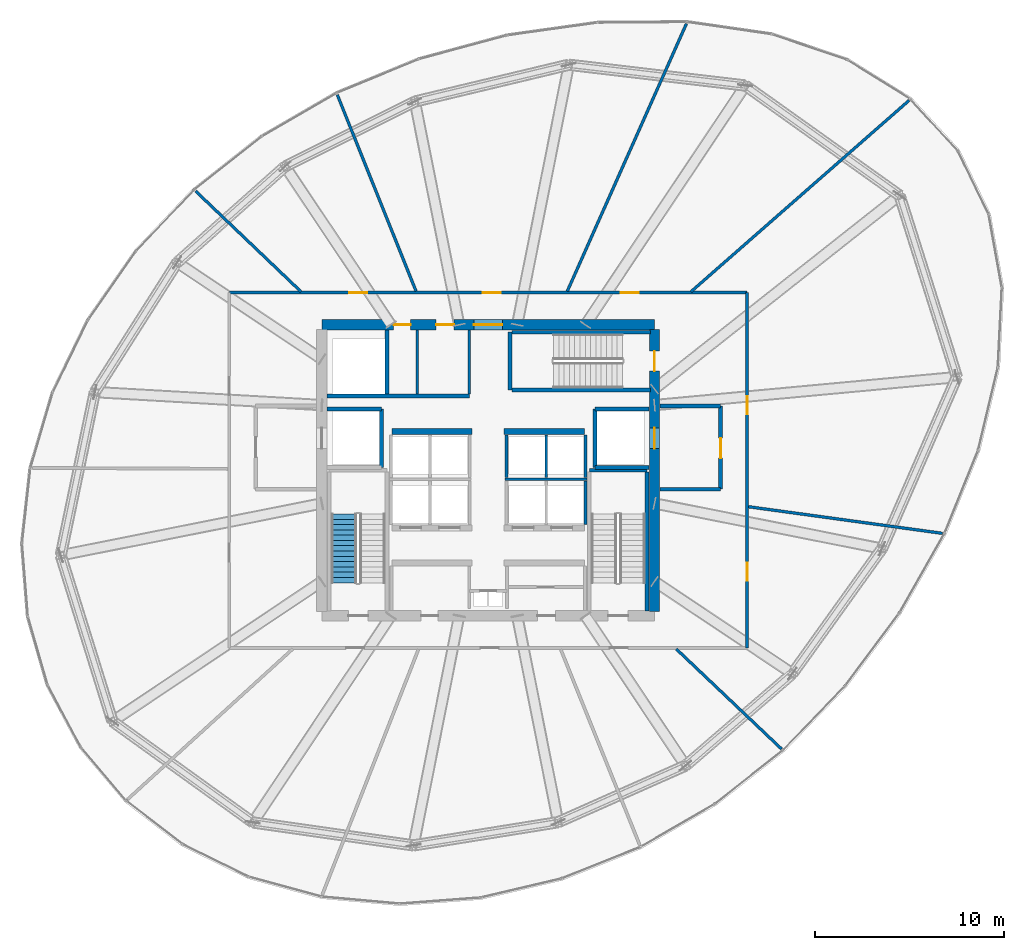
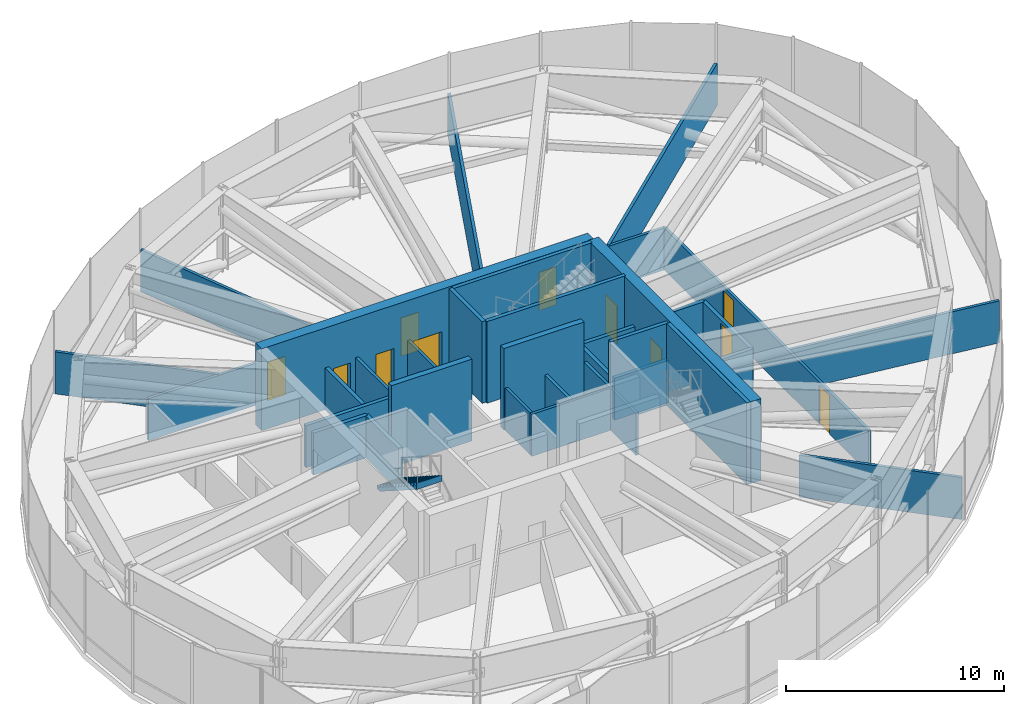
# One storey, part 28 of 30: 34 walls, 11 doors, 1 stair flight, 11 openings, 1 element without a shape of its own.
"""IFC4 building model written with IfcOpenShell, lengths in metres."""

from ifc_helpers import new_model, si_unit, direction, frame, frame_2d, origin, place, context, subcontext, project, spatial, polyline, rectangle, outline, extrude, source, transform, mapped, material, layer, layer_set, type_object, element, fill, aggregate, save


model = new_model("IFC4")

# Units and contexts
model_context = context("Model", 3, precision=1e-05, world=origin(), true_north=direction((0.0, 1.0)))
body_context = subcontext(model_context, "Body", "Model", "MODEL_VIEW")
ifc_project = project(units=[si_unit("LENGTHUNIT", "METRE"), si_unit("AREAUNIT", "SQUARE_METRE"), si_unit("VOLUMEUNIT", "CUBIC_METRE"), si_unit("PLANEANGLEUNIT", "RADIAN"), si_unit("MASSUNIT", "GRAM", prefix="KILO"), si_unit("THERMODYNAMICTEMPERATUREUNIT", "KELVIN")], contexts=[model_context])

# Site, building, storey
site_placement = place(None, origin())
site = spatial("IfcSite", under=ifc_project, at=site_placement, CompositionType="ELEMENT")
building_placement = place(site_placement, origin())
building = spatial("IfcBuilding", under=site, at=building_placement, Name="Kethvar Cultural Tower", CompositionType="ELEMENT")
storey_placement = place(building_placement, frame((0.0, 0.0, 171.39990234375)))
storey = spatial("IfcBuildingStorey", under=building, at=storey_placement, Name="L44", CompositionType="ELEMENT", Elevation=171.39990234375)

# Wall, openings, doors
ifc_material_1 = material(Name="Concrete C60/75", Category="concrete")
ifc_layer_1 = layer(ifc_material_1, 0.550048828125, Name="Concrete C60/75", Category="concrete")
ifc_layer_set_1 = layer_set([ifc_layer_1], Name="Concrete C60/75 (550 mm)")
wall_type_1 = type_object("IfcWallType", Name="WL-CORE-550", PredefinedType="SHEAR", material=ifc_layer_set_1)
wall_1_placement = place(storey_placement, frame((55.60009765625, 35.5, 0.0), z_axis=(0.0, 0.0, 1.0), x_axis=(-1.0, 0.0, 0.0)))
wall_1 = element("IfcWall", 1, at=wall_1_placement, inside=storey, type_object=wall_type_1, Name="L44 Core Shear Wall N", PredefinedType="SHEAR", context=body_context, shape_type="SweptSolid", body=[
    extrude(rectangle(XDim=17.60009765625, YDim=0.550048828125, at=frame_2d((8.800048828125, 0.0))), origin(), (0.0, 0.0, 1.0), 4.580078125),
])
opening_1_placement = place(wall_1_placement, frame((8.050048828125, 0.0, 0.0)))
opening_1 = element("IfcOpeningElement", 2, at=opening_1_placement, cuts=wall_1, Name="Opening D-L44-LN", PredefinedType="OPENING", context=body_context, shape_type="SweptSolid", body=[
    extrude(rectangle(XDim=1.5, YDim=2.199951171875, at=frame_2d((0.75, 1.10009765625))), frame((0.0, 0.284912109375, 0.0), z_axis=(0.0, -1.0, 0.0), x_axis=(1.0, 0.0, 0.0)), (0.0, 0.0, 1.0), 0.570068359375),
])
opening_2_placement = place(wall_1_placement, frame((12.89990234375, 0.0, 0.0)))
opening_2 = element("IfcOpeningElement", 3, at=opening_2_placement, cuts=wall_1, Name="Opening D-L44-W1", PredefinedType="OPENING", context=body_context, shape_type="SweptSolid", body=[
    extrude(rectangle(XDim=0.89990234375, YDim=2.14990234375, at=frame_2d((0.449951171875, 1.074951171875))), frame((0.0, 0.284912109375, 0.0), z_axis=(0.0, -1.0, 0.0), x_axis=(1.0, 0.0, 0.0)), (0.0, 0.0, 1.0), 0.570068359375),
])
opening_3_placement = place(wall_1_placement, frame((10.60009765625, 0.0, 0.0)))
opening_3 = element("IfcOpeningElement", 4, at=opening_3_placement, cuts=wall_1, Name="Opening D-L44-W2", PredefinedType="OPENING", context=body_context, shape_type="SweptSolid", body=[
    extrude(rectangle(XDim=0.949951171875, YDim=2.14990234375, at=frame_2d((0.47509765625, 1.074951171875))), frame((0.0, 0.284912109375, 0.0), z_axis=(0.0, -1.0, 0.0), x_axis=(1.0, 0.0, 0.0)), (0.0, 0.0, 1.0), 0.570068359375),
])
ifc_material_2 = material(Name="Architectural Oak Timber", Category="wood")
door_type_1 = type_object("IfcDoorType", Name="DR-DBL-FD60-1500", OperationType="DOUBLE_DOOR_SINGLE_SWING", PredefinedType="DOOR", material=ifc_material_2)
shared_shape_1 = source(origin(), body_context, "Body", "SweptSolid", [
    extrude(rectangle(XDim=1.5, YDim=2.199951171875, at=frame_2d((0.75, 1.10009765625))), frame((0.0, 0.02490234375, 0.0), z_axis=(0.0, -1.0, 0.0), x_axis=(1.0, 0.0, 0.0)), (0.0, 0.0, 1.0), 0.050048828125),
])
door_1_placement = place(opening_1_placement, origin())
door_1 = element("IfcDoor", 5, at=door_1_placement, inside=storey, type_object=door_type_1, Name="L44 Lift Lobby Concourse Door", OperationType="DOUBLE_DOOR_SINGLE_SWING", OverallHeight=2.199951171875, OverallWidth=1.5, PredefinedType="DOOR", context=body_context, shape_type="MappedRepresentation", body=[
    mapped(shared_shape_1, transform((0.0, 0.0, 0.0), scale=1.0)),
])
fill(opening_1, door_1)
door_type_2 = type_object("IfcDoorType", Name="DR-FD30-950", OperationType="NOTDEFINED", PredefinedType="DOOR", material=ifc_material_2)
shared_shape_2 = source(origin(), body_context, "Body", "SweptSolid", [
    extrude(rectangle(XDim=0.949951171875, YDim=2.14990234375, at=frame_2d((0.47509765625, 1.074951171875))), frame((0.0, 0.02490234375, 0.0), z_axis=(0.0, -1.0, 0.0), x_axis=(1.0, 0.0, 0.0)), (0.0, 0.0, 1.0), 0.050048828125),
])
door_2_placement = place(opening_3_placement, origin())
door_2 = element("IfcDoor", 6, at=door_2_placement, inside=storey, type_object=door_type_2, Name="L44 Public Washroom Door", OperationType="SINGLE_SWING_RIGHT", OverallHeight=2.14990234375, OverallWidth=0.949951171875, PredefinedType="DOOR", context=body_context, shape_type="MappedRepresentation", body=[
    mapped(shared_shape_2, transform((0.0, 0.0, 0.0), scale=1.0)),
])
fill(opening_3, door_2)
door_type_3 = type_object("IfcDoorType", Name="DR-FD30-900", OperationType="NOTDEFINED", PredefinedType="DOOR", material=ifc_material_2)
shared_shape_3 = source(origin(), body_context, "Body", "SweptSolid", [
    extrude(rectangle(XDim=0.89990234375, YDim=2.14990234375, at=frame_2d((0.449951171875, 1.074951171875))), frame((0.0, 0.02490234375, 0.0), z_axis=(0.0, -1.0, 0.0), x_axis=(1.0, 0.0, 0.0)), (0.0, 0.0, 1.0), 0.050048828125),
])
door_3_placement = place(opening_2_placement, origin())
door_3 = element("IfcDoor", 7, at=door_3_placement, inside=storey, type_object=door_type_3, Name="L44 Accessible Washroom Door", OperationType="SINGLE_SWING_LEFT", OverallHeight=2.14990234375, OverallWidth=0.89990234375, PredefinedType="DOOR", context=body_context, shape_type="MappedRepresentation", body=[
    mapped(shared_shape_3, transform((0.0, 0.0, 0.0), scale=1.0)),
])
fill(opening_2, door_3)

wall_2_placement = place(storey_placement, frame((55.60009765625, 20.340087890625, 0.0), z_axis=(0.0, 0.0, 1.0), x_axis=(0.0, 1.0, 0.0)))
wall_2 = element("IfcWall", 8, at=wall_2_placement, inside=storey, type_object=wall_type_1, Name="L44 Core Shear Wall E", PredefinedType="SHEAR", context=body_context, shape_type="SweptSolid", body=[
    extrude(rectangle(XDim=14.919921875, YDim=0.550048828125, at=frame_2d((7.4599609375, 0.0))), origin(), (0.0, 0.0, 1.0), 4.580078125),
])
opening_4_placement = place(wall_2_placement, frame((12.7099609375, 0.0, 0.0)))
opening_4 = element("IfcOpeningElement", 9, at=opening_4_placement, cuts=wall_2, Name="Opening D-L44-S3", PredefinedType="OPENING", context=body_context, shape_type="SweptSolid", body=[
    extrude(rectangle(XDim=1.050048828125, YDim=2.14990234375, at=frame_2d((0.52490234375, 1.074951171875))), frame((0.0, 0.284912109375, 0.0), z_axis=(0.0, -1.0, 0.0), x_axis=(1.0, 0.0, 0.0)), (0.0, 0.0, 1.0), 0.570068359375),
])
opening_5_placement = place(wall_2_placement, frame((8.610107421875, 0.0, 0.0)))
opening_5 = element("IfcOpeningElement", 10, at=opening_5_placement, cuts=wall_2, Name="Opening LD-2", PredefinedType="OPENING", context=body_context, shape_type="SweptSolid", body=[
    extrude(rectangle(XDim=1.10009765625, YDim=2.199951171875, at=frame_2d((0.550048828125, 1.10009765625))), frame((0.0, 0.284912109375, 0.0), z_axis=(0.0, -1.0, 0.0), x_axis=(1.0, 0.0, 0.0)), (0.0, 0.0, 1.0), 0.570068359375),
])
ifc_material_3 = material(Name="Steel S355J2", Category="steel")
door_type_4 = type_object("IfcDoorType", Name="DR-FD60-1050", OperationType="NOTDEFINED", PredefinedType="DOOR", material=ifc_material_3)
shared_shape_4 = source(origin(), body_context, "Body", "SweptSolid", [
    extrude(rectangle(XDim=1.050048828125, YDim=2.14990234375, at=frame_2d((0.52490234375, 1.074951171875))), frame((0.0, 0.02490234375, 0.0), z_axis=(0.0, -1.0, 0.0), x_axis=(1.0, 0.0, 0.0)), (0.0, 0.0, 1.0), 0.050048828125),
])
door_4_placement = place(opening_4_placement, origin())
door_4 = element("IfcDoor", 11, at=door_4_placement, inside=storey, type_object=door_type_4, Name="L44 Exit Stair 3 Door", OperationType="SINGLE_SWING_LEFT", OverallHeight=2.14990234375, OverallWidth=1.050048828125, PredefinedType="DOOR", context=body_context, shape_type="MappedRepresentation", body=[
    mapped(shared_shape_4, transform((0.0, 0.0, 0.0), scale=1.0)),
])
fill(opening_4, door_4)
door_type_5 = type_object("IfcDoorType", Name="DR-LIFT-SLIDE-1100", OperationType="NOTDEFINED", PredefinedType="DOOR", material=ifc_material_3)
shared_shape_5 = source(origin(), body_context, "Body", "SweptSolid", [
    extrude(rectangle(XDim=1.10009765625, YDim=2.199951171875, at=frame_2d((0.550048828125, 1.10009765625))), frame((0.0, 0.02490234375, 0.0), z_axis=(0.0, -1.0, 0.0), x_axis=(1.0, 0.0, 0.0)), (0.0, 0.0, 1.0), 0.050048828125),
])
door_5_placement = place(opening_5_placement, origin())
door_5 = element("IfcDoor", 12, at=door_5_placement, inside=storey, type_object=door_type_5, Name="L44 Firefighting Lift Landing Door FFL-02", OperationType="SLIDING_TO_RIGHT", OverallHeight=2.199951171875, OverallWidth=1.10009765625, PredefinedType="DOOR", context=body_context, shape_type="MappedRepresentation", body=[
    mapped(shared_shape_5, transform((0.0, 0.0, 0.0), scale=1.0)),
])
fill(opening_5, door_5)

# Walls
ifc_material_4 = material(Name="Gypsum Fireboard Partition")
ifc_layer_2 = layer(ifc_material_4, 0.14990234375, Name="Gypsum Fireboard Partition")
ifc_layer_set_2 = layer_set([ifc_layer_2], Name="Gypsum Fireboard Partition (150 mm)")
wall_type_2 = type_object("IfcWallType", Name="WL-FIRE-150", PredefinedType="PARTITIONING", material=ifc_layer_set_2)
wall_3_placement = place(storey_placement, frame((47.699951171875, 27.324951171875, 0.0), z_axis=(0.0, 0.0, 1.0), x_axis=(1.0, 0.0, 0.0)))
element("IfcWall", 13, at=wall_3_placement, inside=storey, type_object=wall_type_2, Name="L44 Mid-High Lift Shaft Back Wall E", PredefinedType="PARTITIONING", context=body_context, shape_type="SweptSolid", body=[
    extrude(rectangle(XDim=4.320068359375, YDim=0.14990234375, at=frame_2d((2.16015625, 0.0))), origin(), (0.0, 0.0, 1.0), 2.35498046875),
])
wall_4_placement = place(storey_placement, frame((51.949951171875, 24.919921875, 0.0), z_axis=(0.0, 0.0, 1.0), x_axis=(0.0, 1.0, 0.0)))
element("IfcWall", 14, at=wall_4_placement, inside=storey, type_object=wall_type_2, Name="L44 Mid-Rise Lift Shaft Outer Wall E", PredefinedType="PARTITIONING", context=body_context, shape_type="SweptSolid", body=[
    extrude(rectangle(XDim=2.320068359375, YDim=0.14990234375, at=frame_2d((1.16015625, 0.0))), origin(), (0.0, 0.0, 1.0), 2.35498046875),
])
for number, where, z_axis, x_axis, name in (
    (15, (47.77490234375, 27.409912109375, 0.0), (0.0, 0.0, 1.0), (0.0, 1.0, 0.0), "L44 High-Rise Lift Shaft Concourse Wall E"),
    (16, (49.875, 27.409912109375, 0.0), (0.0, 0.0, 1.0), (0.0, 1.0, 0.0), "L44 High-Rise Lift Shaft Divider E"),
    (17, (51.949951171875, 27.409912109375, 0.0), (0.0, 0.0, 1.0), (0.0, 1.0, 0.0), "L44 High-Rise Lift Shaft Outer Wall E"),
):
    element("IfcWall", number, at=place(storey_placement, frame(where, z_axis=z_axis, x_axis=x_axis)), inside=storey, type_object=wall_type_2, Name=name, PredefinedType="PARTITIONING", context=body_context, shape_type="SweptSolid", body=[
        extrude(rectangle(XDim=2.27001953125, YDim=0.14990234375, at=frame_2d((1.135009765625, 0.0))), origin(), (0.0, 0.0, 1.0), 2.35498046875),
    ])
wall_5_placement = place(storey_placement, frame((45.800048828125, 31.85009765625, 0.0), z_axis=(0.0, 0.0, 1.0), x_axis=(0.0, 1.0, 0.0)))
element("IfcWall", 18, at=wall_5_placement, inside=storey, type_object=wall_type_2, Name="L44 Sanitary Spine Wall", PredefinedType="PARTITIONING", context=body_context, shape_type="SweptSolid", body=[
    extrude(rectangle(XDim=3.364990234375, YDim=0.14990234375, at=frame_2d((1.6826171875, 0.0))), origin(), (0.0, 0.0, 1.0), 2.35498046875),
])

# Wall, openings, doors
wall_6_placement = place(storey_placement, frame((60.5, 18.39990234375, 0.0), z_axis=(0.0, 0.0, 1.0), x_axis=(0.0, 1.0, 0.0)))
wall_6 = element("IfcWall", 19, at=wall_6_placement, inside=storey, type_object=wall_type_2, Name="L44 Corridor Rated Wall E", PredefinedType="PARTITIONING", context=body_context, shape_type="SweptSolid", body=[
    extrude(rectangle(XDim=18.800048828125, YDim=0.14990234375, at=frame_2d((9.39990234375, 0.0))), origin(), (0.0, 0.0, 1.0), 2.35498046875),
])
opening_6_placement = place(wall_6_placement, frame((3.556396484375, 0.0, 0.0)))
opening_6 = element("IfcOpeningElement", 20, at=opening_6_placement, cuts=wall_6, Name="Opening D-L44-04", PredefinedType="OPENING", context=body_context, shape_type="SweptSolid", body=[
    extrude(rectangle(XDim=0.949951171875, YDim=2.14990234375, at=frame_2d((0.47509765625, 1.074951171875))), frame((0.0, 0.0849609375, 0.0), z_axis=(0.0, -1.0, 0.0), x_axis=(1.0, 0.0, 0.0)), (0.0, 0.0, 1.0), 0.169921875),
])
opening_7_placement = place(wall_6_placement, frame((12.375244140625, 0.0, 0.0)))
opening_7 = element("IfcOpeningElement", 21, at=opening_7_placement, cuts=wall_6, Name="Opening D-L44-05", PredefinedType="OPENING", context=body_context, shape_type="SweptSolid", body=[
    extrude(rectangle(XDim=0.949951171875, YDim=2.14990234375, at=frame_2d((0.47509765625, 1.074951171875))), frame((0.0, 0.0849609375, 0.0), z_axis=(0.0, -1.0, 0.0), x_axis=(1.0, 0.0, 0.0)), (0.0, 0.0, 1.0), 0.169921875),
])
door_6_placement = place(opening_6_placement, origin())
door_6 = element("IfcDoor", 22, at=door_6_placement, inside=storey, type_object=door_type_2, Name="L44 Chilled Water Pump Plant Room 04 Door", OperationType="SINGLE_SWING_RIGHT", OverallHeight=2.14990234375, OverallWidth=0.949951171875, PredefinedType="DOOR", context=body_context, shape_type="MappedRepresentation", body=[
    mapped(shared_shape_2, transform((0.0, 0.0, 0.0), scale=1.0)),
])
fill(opening_6, door_6)
door_7_placement = place(opening_7_placement, origin())
door_7 = element("IfcDoor", 23, at=door_7_placement, inside=storey, type_object=door_type_2, Name="L44 Electrical Switchgear Plant Room 05 Door", OperationType="SINGLE_SWING_LEFT", OverallHeight=2.14990234375, OverallWidth=0.949951171875, PredefinedType="DOOR", context=body_context, shape_type="MappedRepresentation", body=[
    mapped(shared_shape_2, transform((0.0, 0.0, 0.0), scale=1.0)),
])
fill(opening_7, door_7)

wall_7_placement = place(storey_placement, frame((60.5, 37.199951171875, 0.0), z_axis=(0.0, 0.0, 1.0), x_axis=(-1.0, 0.0, 0.0)))
wall_7 = element("IfcWall", 24, at=wall_7_placement, inside=storey, type_object=wall_type_2, Name="L44 Corridor Rated Wall N", PredefinedType="PARTITIONING", context=body_context, shape_type="SweptSolid", body=[
    extrude(rectangle(XDim=27.39990234375, YDim=0.14990234375, at=frame_2d((13.699951171875, 0.0))), origin(), (0.0, 0.0, 1.0), 2.35498046875),
])
opening_8_placement = place(wall_7_placement, frame((5.7392578125, 0.0, 0.0)))
opening_8 = element("IfcOpeningElement", 25, at=opening_8_placement, cuts=wall_7, Name="Opening D-L44-06", PredefinedType="OPENING", context=body_context, shape_type="SweptSolid", body=[
    extrude(rectangle(XDim=0.949951171875, YDim=2.14990234375, at=frame_2d((0.47509765625, 1.074951171875))), frame((0.0, 0.0849609375, 0.0), z_axis=(0.0, -1.0, 0.0), x_axis=(1.0, 0.0, 0.0)), (0.0, 0.0, 1.0), 0.169921875),
])
opening_9_placement = place(wall_7_placement, frame((13.038330078125, 0.0, 0.0)))
opening_9 = element("IfcOpeningElement", 26, at=opening_9_placement, cuts=wall_7, Name="Opening D-L44-07", PredefinedType="OPENING", context=body_context, shape_type="SweptSolid", body=[
    extrude(rectangle(XDim=0.949951171875, YDim=2.14990234375, at=frame_2d((0.47509765625, 1.074951171875))), frame((0.0, 0.0849609375, 0.0), z_axis=(0.0, -1.0, 0.0), x_axis=(1.0, 0.0, 0.0)), (0.0, 0.0, 1.0), 0.169921875),
])
opening_10_placement = place(wall_7_placement, frame((20.10498046875, 0.0, 0.0)))
opening_10 = element("IfcOpeningElement", 27, at=opening_10_placement, cuts=wall_7, Name="Opening D-L44-08", PredefinedType="OPENING", context=body_context, shape_type="SweptSolid", body=[
    extrude(rectangle(XDim=0.949951171875, YDim=2.14990234375, at=frame_2d((0.47509765625, 1.074951171875))), frame((0.0, 0.0849609375, 0.0), z_axis=(0.0, -1.0, 0.0), x_axis=(1.0, 0.0, 0.0)), (0.0, 0.0, 1.0), 0.169921875),
])
door_8_placement = place(opening_8_placement, origin())
door_8 = element("IfcDoor", 28, at=door_8_placement, inside=storey, type_object=door_type_2, Name="L44 Smoke Extract Fan Plant Room 06 Door", OperationType="SINGLE_SWING_RIGHT", OverallHeight=2.14990234375, OverallWidth=0.949951171875, PredefinedType="DOOR", context=body_context, shape_type="MappedRepresentation", body=[
    mapped(shared_shape_2, transform((0.0, 0.0, 0.0), scale=1.0)),
])
fill(opening_8, door_8)
door_9_placement = place(opening_9_placement, origin())
door_9 = element("IfcDoor", 29, at=door_9_placement, inside=storey, type_object=door_type_2, Name="L44 Heat Recovery Mechanical Plant Room 07 Door", OperationType="SINGLE_SWING_LEFT", OverallHeight=2.14990234375, OverallWidth=0.949951171875, PredefinedType="DOOR", context=body_context, shape_type="MappedRepresentation", body=[
    mapped(shared_shape_2, transform((0.0, 0.0, 0.0), scale=1.0)),
])
fill(opening_9, door_9)
door_10_placement = place(opening_10_placement, origin())
door_10 = element("IfcDoor", 30, at=door_10_placement, inside=storey, type_object=door_type_2, Name="L44 Pressurisation Fan Plant Room 08 Door", OperationType="SINGLE_SWING_RIGHT", OverallHeight=2.14990234375, OverallWidth=0.949951171875, PredefinedType="DOOR", context=body_context, shape_type="MappedRepresentation", body=[
    mapped(shared_shape_2, transform((0.0, 0.0, 0.0), scale=1.0)),
])
fill(opening_10, door_10)

# Walls
wall_8_placement = place(storey_placement, frame((56.7529296875, 18.344970703125, 0.0), z_axis=(0.0, 0.0, 1.0), x_axis=(0.725084338086, -0.688660077732, 0.0)))
element("IfcWall", 31, at=wall_8_placement, inside=storey, type_object=wall_type_2, Name="L44 Radial Partition Wall 04", PredefinedType="PARTITIONING", context=body_context, shape_type="SweptSolid", body=[
    extrude(rectangle(XDim=7.681396484375, YDim=0.14990234375, at=frame_2d((3.8408203125, 0.0))), origin(), (0.0, 0.0, 1.0), 2.35498046875),
])
wall_9_placement = place(storey_placement, frame((60.579345703125, 25.872314453125, 0.0), z_axis=(0.0, 0.0, 1.0), x_axis=(0.990702675866, -0.136044875066, 0.0)))
element("IfcWall", 32, at=wall_9_placement, inside=storey, type_object=wall_type_2, Name="L44 Radial Partition Wall 05", PredefinedType="PARTITIONING", context=body_context, shape_type="SweptSolid", body=[
    extrude(rectangle(XDim=10.360107421875, YDim=0.14990234375, at=frame_2d((5.18017578125, 0.0))), origin(), (0.0, 0.0, 1.0), 2.35498046875),
])
wall_10_placement = place(storey_placement, frame((57.534423828125, 37.252685546875, 0.0), z_axis=(0.0, 0.0, 1.0), x_axis=(0.751830096588, 0.659356888085, 0.0)))
element("IfcWall", 33, at=wall_10_placement, inside=storey, type_object=wall_type_2, Name="L44 Radial Partition Wall 06", PredefinedType="PARTITIONING", context=body_context, shape_type="SweptSolid", body=[
    extrude(rectangle(XDim=15.344482421875, YDim=0.14990234375, at=frame_2d((7.67236328125, 0.0))), origin(), (0.0, 0.0, 1.0), 2.35498046875),
])
wall_11_placement = place(storey_placement, frame((50.986083984375, 37.273193359375, 0.0), z_axis=(0.0, 0.0, 1.0), x_axis=(0.406800747022, 0.913516914032, 0.0)))
element("IfcWall", 34, at=wall_11_placement, inside=storey, type_object=wall_type_2, Name="L44 Radial Partition Wall 07", PredefinedType="PARTITIONING", context=body_context, shape_type="SweptSolid", body=[
    extrude(rectangle(XDim=15.49169921875, YDim=0.14990234375, at=frame_2d((7.745849609375, 0.0))), origin(), (0.0, 0.0, 1.0), 2.35498046875),
])
wall_12_placement = place(storey_placement, frame((42.985595703125, 37.2744140625, 0.0), z_axis=(0.0, 0.0, 1.0), x_axis=(-0.372195030978, 0.928154544737, 0.0)))
element("IfcWall", 35, at=wall_12_placement, inside=storey, type_object=wall_type_2, Name="L44 Radial Partition Wall 08", PredefinedType="PARTITIONING", context=body_context, shape_type="SweptSolid", body=[
    extrude(rectangle(XDim=11.197021484375, YDim=0.14990234375, at=frame_2d((5.5986328125, 0.0))), origin(), (0.0, 0.0, 1.0), 2.35498046875),
])
wall_13_placement = place(storey_placement, frame((36.89208984375, 37.255126953125, 0.0), z_axis=(0.0, 0.0, 1.0), x_axis=(-0.723379287328, 0.690450872014, 0.0)))
element("IfcWall", 36, at=wall_13_placement, inside=storey, type_object=wall_type_2, Name="L44 Radial Partition Wall 09", PredefinedType="PARTITIONING", context=body_context, shape_type="SweptSolid", body=[
    extrude(rectangle(XDim=7.703369140625, YDim=0.14990234375, at=frame_2d((3.8515625, 0.0))), origin(), (0.0, 0.0, 1.0), 2.35498046875),
])
ifc_material_5 = material(Name="Concrete C40/50", Category="concrete")
ifc_layer_3 = layer(ifc_material_5, 0.199951171875, Name="Concrete C40/50", Category="concrete")
ifc_layer_set_3 = layer_set([ifc_layer_3], Name="Concrete C40/50 (200 mm)")
wall_type_3 = type_object("IfcWallType", Name="WL-FIRE-200", PredefinedType="PARTITIONING", material=ifc_layer_set_3)
wall_14_placement = place(storey_placement, frame((41.14990234375, 27.949951171875, 0.0), z_axis=(0.0, 0.0, 1.0), x_axis=(0.0, 1.0, 0.0)))
element("IfcWall", 37, at=wall_14_placement, inside=storey, type_object=wall_type_3, Name="L44 FFL-01 Shaft Inner Wall", PredefinedType="PARTITIONING", context=body_context, shape_type="SweptSolid", body=[
    extrude(rectangle(XDim=3.10009765625, YDim=0.199951171875, at=frame_2d((1.550048828125, 0.0))), origin(), (0.0, 0.0, 1.0), 2.35498046875),
])
wall_15_placement = place(storey_placement, frame((38.284912109375, 31.050048828125, 0.0), z_axis=(0.0, 0.0, 1.0), x_axis=(1.0, 0.0, 0.0)))
element("IfcWall", 38, at=wall_15_placement, inside=storey, type_object=wall_type_3, Name="L44 FFL-01 Shaft North Wall", PredefinedType="PARTITIONING", context=body_context, shape_type="SweptSolid", body=[
    extrude(rectangle(XDim=2.864990234375, YDim=0.199951171875, at=frame_2d((1.4326171875, 0.0))), origin(), (0.0, 0.0, 1.0), 2.35498046875),
])
wall_16_placement = place(storey_placement, frame((52.449951171875, 27.949951171875, 0.0), z_axis=(0.0, 0.0, 1.0), x_axis=(0.0, 1.0, 0.0)))
element("IfcWall", 39, at=wall_16_placement, inside=storey, type_object=wall_type_3, Name="L44 FFL-02 Shaft Inner Wall", PredefinedType="PARTITIONING", context=body_context, shape_type="SweptSolid", body=[
    extrude(rectangle(XDim=3.10009765625, YDim=0.199951171875, at=frame_2d((1.550048828125, 0.0))), origin(), (0.0, 0.0, 1.0), 2.35498046875),
])
for number, where, z_axis, x_axis, name in (
    (40, (52.449951171875, 27.949951171875, 0.0), (0.0, 0.0, 1.0), (1.0, 0.0, 0.0), "L44 FFL-02 Shaft South Wall"),
    (41, (52.449951171875, 31.050048828125, 0.0), (0.0, 0.0, 1.0), (1.0, 0.0, 0.0), "L44 FFL-02 Shaft North Wall"),
):
    element("IfcWall", number, at=place(storey_placement, frame(where, z_axis=z_axis, x_axis=x_axis)), inside=storey, type_object=wall_type_3, Name=name, PredefinedType="PARTITIONING", context=body_context, shape_type="SweptSolid", body=[
        extrude(rectangle(XDim=2.864990234375, YDim=0.199951171875, at=frame_2d((1.4326171875, 0.0))), origin(), (0.0, 0.0, 1.0), 2.35498046875),
    ])

# Wall, opening, door
wall_17_placement = place(storey_placement, frame((59.10009765625, 26.800048828125, 0.0), z_axis=(0.0, 0.0, 1.0), x_axis=(0.0, 1.0, 0.0)))
wall_17 = element("IfcWall", 42, at=wall_17_placement, inside=storey, type_object=wall_type_3, Name="L44 Firefighting Lobby 2 Wall", PredefinedType="PARTITIONING", context=body_context, shape_type="SweptSolid", body=[
    extrude(rectangle(XDim=4.39990234375, YDim=0.199951171875, at=frame_2d((2.199951171875, 0.0))), origin(), (0.0, 0.0, 1.0), 2.35498046875),
])
opening_11_placement = place(wall_17_placement, frame((1.64990234375, 0.0, 0.0)))
opening_11 = element("IfcOpeningElement", 43, at=opening_11_placement, cuts=wall_17, Name="Opening D-L44-F2", PredefinedType="OPENING", context=body_context, shape_type="SweptSolid", body=[
    extrude(rectangle(XDim=1.050048828125, YDim=2.14990234375, at=frame_2d((0.52490234375, 1.074951171875))), frame((0.0, 0.10986328125, 0.0), z_axis=(0.0, -1.0, 0.0), x_axis=(1.0, 0.0, 0.0)), (0.0, 0.0, 1.0), 0.219970703125),
])
door_11_placement = place(opening_11_placement, origin())
door_11 = element("IfcDoor", 44, at=door_11_placement, inside=storey, type_object=door_type_4, Name="L44 Firefighting Lobby 2 Fire Door", OperationType="SINGLE_SWING_LEFT", OverallHeight=2.14990234375, OverallWidth=1.050048828125, PredefinedType="DOOR", context=body_context, shape_type="MappedRepresentation", body=[
    mapped(shared_shape_4, transform((0.0, 0.0, 0.0), scale=1.0)),
])
fill(opening_11, door_11)

# Walls
for number, where, z_axis, x_axis, name in (
    (45, (55.885009765625, 26.800048828125, 0.0), (0.0, 0.0, 1.0), (1.0, 0.0, 0.0), "L44 FF Lobby 2 South Wall"),
    (46, (55.885009765625, 31.199951171875, 0.0), (0.0, 0.0, 1.0), (1.0, 0.0, 0.0), "L44 FF Lobby 2 North Wall"),
):
    element("IfcWall", number, at=place(storey_placement, frame(where, z_axis=z_axis, x_axis=x_axis)), inside=storey, type_object=wall_type_3, Name=name, PredefinedType="PARTITIONING", context=body_context, shape_type="SweptSolid", body=[
        extrude(rectangle(XDim=3.215087890625, YDim=0.199951171875, at=frame_2d((1.607421875, 0.0))), origin(), (0.0, 0.0, 1.0), 2.35498046875),
    ])
wall_18_placement = place(storey_placement, frame((41.449951171875, 31.85009765625, 0.0), z_axis=(0.0, 0.0, 1.0), x_axis=(0.0, 1.0, 0.0)))
element("IfcWall", 47, at=wall_18_placement, inside=storey, type_object=wall_type_3, Name="L44 NW Core Pocket Wall", PredefinedType="PARTITIONING", context=body_context, shape_type="SweptSolid", body=[
    extrude(rectangle(XDim=3.364990234375, YDim=0.199951171875, at=frame_2d((1.6826171875, 0.0))), origin(), (0.0, 0.0, 1.0), 2.35498046875),
])
wall_19_placement = place(storey_placement, frame((38.284912109375, 31.72998046875, 0.0), z_axis=(0.0, 0.0, 1.0), x_axis=(1.0, 0.0, 0.0)))
element("IfcWall", 48, at=wall_19_placement, inside=storey, type_object=wall_type_3, Name="L44 North Core Sanitary South Wall", PredefinedType="PARTITIONING", context=body_context, shape_type="SweptSolid", body=[
    extrude(rectangle(XDim=7.51513671875, YDim=0.199951171875, at=frame_2d((3.757568359375, 0.0))), origin(), (0.0, 0.0, 1.0), 2.35498046875),
])
ifc_material_6 = material(Name="Moisture-Resistant Sanitary Chase Wall")
ifc_layer_4 = layer(ifc_material_6, 0.14990234375, Name="Moisture-Resistant Sanitary Chase Wall")
ifc_layer_set_4 = layer_set([ifc_layer_4], Name="Moisture-Resistant Sanitary Chase Wall (150 mm)")
wall_type_4 = type_object("IfcWallType", Name="WL-PLUMB-150", PredefinedType="PLUMBINGWALL", material=ifc_layer_set_4)
wall_20_placement = place(storey_placement, frame((43.050048828125, 31.85009765625, 0.0), z_axis=(0.0, 0.0, 1.0), x_axis=(0.0, 1.0, 0.0)))
element("IfcWall", 49, at=wall_20_placement, inside=storey, type_object=wall_type_4, Name="L44 Sanitary Plumbing Wall", PredefinedType="PLUMBINGWALL", context=body_context, shape_type="SweptSolid", body=[
    extrude(rectangle(XDim=3.364990234375, YDim=0.14990234375, at=frame_2d((1.6826171875, 0.0))), origin(), (0.0, 0.0, 1.0), 2.35498046875),
])
ifc_material_7 = material(Name="Concrete C50/60", Category="concrete")
ifc_layer_5 = layer(ifc_material_7, 0.300048828125, Name="Concrete C50/60", Category="concrete")
ifc_layer_set_5 = layer_set([ifc_layer_5], Name="Concrete C50/60 (300 mm)")
wall_type_5 = type_object("IfcWallType", Name="WL-SHAFT-300", PredefinedType="SHEAR", material=ifc_layer_set_5)
for number, where, z_axis, x_axis, name in (
    (50, (41.699951171875, 29.85009765625, 0.0), (0.0, 0.0, 1.0), (1.0, 0.0, 0.0), "L44 Core Lift Spine Wall MID3W"),
    (51, (47.64990234375, 29.85009765625, 0.0), (0.0, 0.0, 1.0), (1.0, 0.0, 0.0), "L44 Core Lift Spine Wall MID3E"),
):
    element("IfcWall", number, at=place(storey_placement, frame(where, z_axis=z_axis, x_axis=x_axis)), inside=storey, type_object=wall_type_5, Name=name, PredefinedType="SHEAR", context=body_context, shape_type="SweptSolid", body=[
        extrude(rectangle(XDim=4.25, YDim=0.300048828125, at=frame_2d((2.125, 0.0))), origin(), (0.0, 0.0, 1.0), 4.580078125),
    ])
ifc_layer_6 = layer(ifc_material_7, 0.199951171875, Name="Concrete C50/60", Category="concrete")
ifc_layer_set_6 = layer_set([ifc_layer_6], Name="Concrete C50/60 (200 mm)")
wall_type_6 = type_object("IfcWallType", Name="WL-STSHAFT-200", PredefinedType="SHEAR", material=ifc_layer_set_6)
wall_21_placement = place(storey_placement, frame((52.14990234375, 27.800048828125, 0.0), z_axis=(0.0, 0.0, 1.0), x_axis=(1.0, 0.0, 0.0)))
element("IfcWall", 52, at=wall_21_placement, inside=storey, type_object=wall_type_6, Name="L44 ST-02 Stair Shaft Wall FAR", PredefinedType="SHEAR", context=body_context, shape_type="SweptSolid", body=[
    extrude(rectangle(XDim=3.06005859375, YDim=0.199951171875, at=frame_2d((1.530029296875, 0.0))), origin(), (0.0, 0.0, 1.0), 4.580078125),
])
wall_22_placement = place(storey_placement, frame((55.2099609375, 27.699951171875, 0.0), z_axis=(0.0, 0.0, 1.0), x_axis=(0.0, -1.0, 0.0)))
element("IfcWall", 53, at=wall_22_placement, inside=storey, type_object=wall_type_6, Name="L44 ST-02 Stair Shaft Wall LEFT", PredefinedType="SHEAR", context=body_context, shape_type="SweptSolid", body=[
    extrude(rectangle(XDim=7.349853515625, YDim=0.199951171875, at=frame_2d((3.6748046875, 0.0))), origin(), (0.0, 0.0, 1.0), 4.580078125),
])
wall_23_placement = place(storey_placement, frame((47.949951171875, 32.050048828125, 0.0), z_axis=(0.0, 0.0, 1.0), x_axis=(0.0, 1.0, 0.0)))
element("IfcWall", 54, at=wall_23_placement, inside=storey, type_object=wall_type_6, Name="L44 ST-03 Stair Shaft Wall FAR", PredefinedType="SHEAR", context=body_context, shape_type="SweptSolid", body=[
    extrude(rectangle(XDim=3.06005859375, YDim=0.199951171875, at=frame_2d((1.530029296875, 0.0))), origin(), (0.0, 0.0, 1.0), 4.580078125),
])
for number, where, z_axis, x_axis, name in (
    (55, (48.050048828125, 35.110107421875, 0.0), (0.0, 0.0, 1.0), (1.0, 0.0, 0.0), "L44 ST-03 Stair Shaft Wall LEFT"),
    (56, (55.39990234375, 32.050048828125, 0.0), (0.0, 0.0, 1.0), (-1.0, 0.0, 0.0), "L44 ST-03 Stair Shaft Wall RIGHT"),
):
    element("IfcWall", number, at=place(storey_placement, frame(where, z_axis=z_axis, x_axis=x_axis)), inside=storey, type_object=wall_type_6, Name=name, PredefinedType="SHEAR", context=body_context, shape_type="SweptSolid", body=[
        extrude(rectangle(XDim=7.349853515625, YDim=0.199951171875, at=frame_2d((3.6748046875, 0.0))), origin(), (0.0, 0.0, 1.0), 4.580078125),
    ])

# Stair, stair flight
stair_type = type_object("IfcStairType", Name="ST-DOGLEG-135", PredefinedType="HALF_TURN_STAIR", material=ifc_material_5)
stair_placement = place(storey_placement, origin())
stair = element("IfcStair", 57, at=stair_placement, inside=storey, type_object=stair_type, Name="L44 Core Exit Stair 1", PredefinedType="HALF_TURN_STAIR")
stair_flight_type = type_object("IfcStairFlightType", Name="FL-STRAIGHT-135", PredefinedType="STRAIGHT", material=ifc_material_5)
stair_flight_placement = place(storey_placement, frame((39.1650390625, 25.489990234375, 2.5), z_axis=(0.0, 0.0, 1.0), x_axis=(0.0, -1.0, 0.0)))
stair_flight = element("IfcStairFlight", 58, at=stair_flight_placement, type_object=stair_flight_type, Name="ST-01 flight 2", NumberOfRisers=14, NumberOfTreads=13, PredefinedType="STRAIGHT", RiserHeight=0.178571429, TreadLength=0.28, context=body_context, shape_type="SweptSolid", body=[
    extrude(outline(polyline([(-0.0009765625, -0.0009765625), (-0.0009765625, 0.178466796875), (0.280029296875, 0.178466796875), (0.280029296875, 0.357177734375), (0.56005859375, 0.357177734375), (0.56005859375, 0.53564453125), (0.840087890625, 0.53564453125), (0.840087890625, 0.71435546875), (1.1201171875, 0.71435546875), (1.1201171875, 0.892822265625), (1.39990234375, 0.892822265625), (1.39990234375, 1.071533203125), (1.679931640625, 1.071533203125), (1.679931640625, 1.25), (1.9599609375, 1.25), (1.9599609375, 1.428466796875), (2.239990234375, 1.428466796875), (2.239990234375, 1.607177734375), (2.52001953125, 1.607177734375), (2.52001953125, 1.78564453125), (2.800048828125, 1.78564453125), (2.800048828125, 1.96435546875), (3.080078125, 1.96435546875), (3.080078125, 2.142822265625), (3.360107421875, 2.142822265625), (3.360107421875, 2.321533203125), (3.639892578125, 2.321533203125), (3.639892578125, 2.5), (3.640869140625, 2.5), (3.640869140625, 2.1435546875), (0.27880859375, 0.0), (0.0, -0.0009765625), (-0.0009765625, -0.0009765625)])), frame((0.0, 0.675048828125, 0.0), z_axis=(0.0, -1.0, 0.0), x_axis=(1.0, 0.0, 0.0)), (0.0, 0.0, 1.0), 1.35009765625),
])
aggregate(stair, [stair_flight])

save(model, "model.ifc")
